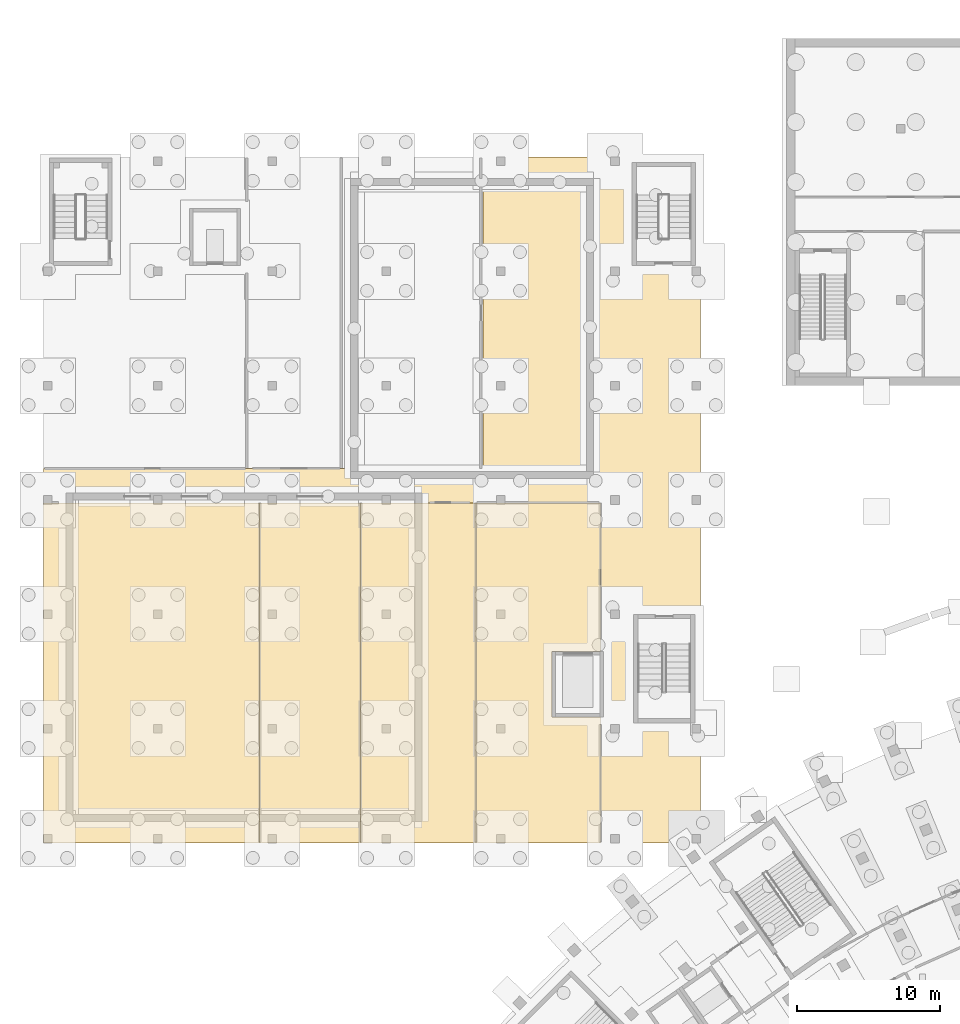
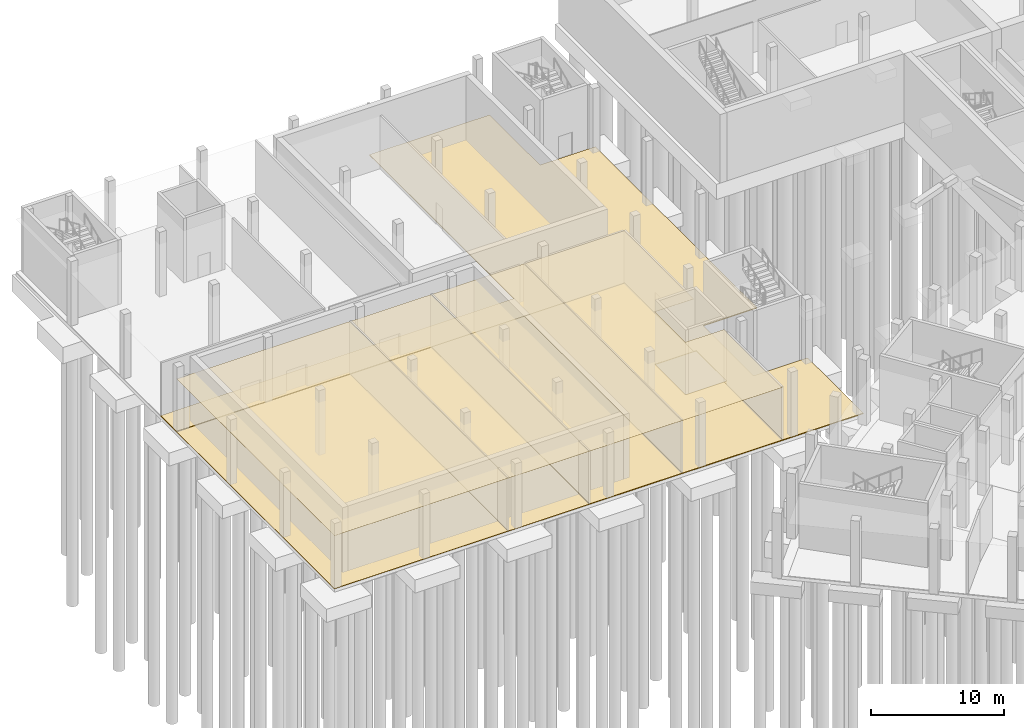
# One storey, part 44 of 66: 9 coverings.
"""IFC4 building model written with IfcOpenShell, lengths in metres."""

import ifcopenshell
import ifcopenshell.guid

model = None  # the IFC model being written
_history = None  # IfcOwnerHistory: only IFC2X3 demands one
_inside = {}  # id of a spatial element -> (the spatial element, [elements in it])
_under = {}  # id of a project, library or spatial element -> (it, [spatial elements below it])
_declared = {}  # id of a project -> (the project, [libraries it declares])
_typed = {}  # id of a type object -> (the type object, [elements of that type])
_made_of = {}  # id of a material, layer set ... -> (it, [elements and type objects made of it])


def new_model(schema):
    """Start an empty IFC model of exactly this schema.

    Asked for "IFC4X3", IfcOpenShell would pick the latest addendum, in which some entities
    have other attributes; the version numbers below select the first issue.
    IFC2X3 requires an IfcOwnerHistory on every rooted entity: one is made here for all.
    """
    global model, _history
    if schema == "IFC4X3":
        model = ifcopenshell.file(schema_version=(4, 3, 0, 0))
    else:
        model = ifcopenshell.file(schema=schema)
    _inside.clear()
    _under.clear()
    _declared.clear()
    _typed.clear()
    _made_of.clear()
    _history = None
    if model.schema == "IFC2X3":
        org = make("IfcOrganization", Name="unknown")
        user = make(
            "IfcPersonAndOrganization",
            ThePerson=make("IfcPerson", FamilyName="unknown"),
            TheOrganization=org,
        )
        app = make(
            "IfcApplication",
            ApplicationDeveloper=org,
            Version="unknown",
            ApplicationFullName="unknown",
            ApplicationIdentifier="unknown",
        )
        _history = make(
            "IfcOwnerHistory",
            OwningUser=user,
            OwningApplication=app,
            ChangeAction="ADDED",
            CreationDate=0,
        )
    return model


def make(cls, **values):
    """One entity of the class cls with the attributes given. An attribute that is None is left unset."""
    return model.create_entity(
        cls, **{name: value for name, value in values.items() if value is not None}
    )


def rooted(cls, **values):
    """An entity with a GlobalId (a new one), such as an element, a storey or a relation."""
    return make(cls, GlobalId=ifcopenshell.guid.new(), OwnerHistory=_history, **values)


def si_unit(unit_type, name, prefix=None):
    """IfcSIUnit, for example si_unit("LENGTHUNIT", "METRE", prefix="MILLI")."""
    return make("IfcSIUnit", UnitType=unit_type, Prefix=prefix, Name=name)


def assignment(units):
    """IfcUnitAssignment: the units of a project."""
    return None if units is None else make("IfcUnitAssignment", Units=units)


def point(xyz):
    """IfcCartesianPoint."""
    return None if xyz is None else make("IfcCartesianPoint", Coordinates=xyz)


def direction(xyz):
    """IfcDirection."""
    return None if xyz is None else make("IfcDirection", DirectionRatios=xyz)


def frame(location, z_axis=None, x_axis=None):
    """IfcAxis2Placement3D, a coordinate frame: its origin and axes. An axis left out is left unset."""
    return make(
        "IfcAxis2Placement3D",
        Location=point(location),
        Axis=direction(z_axis),
        RefDirection=direction(x_axis),
    )


def origin():
    """The frame at (0, 0, 0) with its axes left unset."""
    return frame((0.0, 0.0, 0.0))


def place(relative_to, where):
    """IfcLocalPlacement: puts the frame where relative to a parent placement (None: the world)."""
    return make(
        "IfcLocalPlacement", PlacementRelTo=relative_to, RelativePlacement=where
    )


def context(
    kind, dimensions, precision=None, world=None, true_north=None, identifier=None
):
    """IfcGeometricRepresentationContext, for example the 3D "Model" context."""
    return make(
        "IfcGeometricRepresentationContext",
        ContextIdentifier=identifier,
        ContextType=kind,
        CoordinateSpaceDimension=dimensions,
        Precision=precision,
        WorldCoordinateSystem=world,
        TrueNorth=true_north,
    )


def subcontext(parent, identifier, kind, view, scale=None):
    """IfcGeometricRepresentationSubContext, for example "Body" below "Model"."""
    return make(
        "IfcGeometricRepresentationSubContext",
        ContextIdentifier=identifier,
        ContextType=kind,
        ParentContext=parent,
        TargetScale=scale,
        TargetView=view,
    )


def project(units=None, contexts=None):
    """IfcProject with its units and contexts."""
    return rooted(
        "IfcProject",
        Name="project",
        RepresentationContexts=contexts,
        UnitsInContext=assignment(units),
    )


def spatial(cls, under=None, at=None, **own):
    """A site, building, storey or space (cls), placed at a placement, below another one or the project."""
    s = rooted(cls, ObjectPlacement=at, **own)
    if under is not None:
        _under.setdefault(under.id(), (under, []))[1].append(s)
    return s


def polyline(points):
    """IfcPolyline through the points."""
    return make("IfcPolyline", Points=[point(p) for p in points])


def outline(outer, holes=None, kind="AREA"):
    """IfcArbitraryClosedProfileDef: a profile drawn as a closed curve; with holes, ...WithVoids."""
    if holes is None:
        return make("IfcArbitraryClosedProfileDef", ProfileType=kind, OuterCurve=outer)
    return make(
        "IfcArbitraryProfileDefWithVoids",
        ProfileType=kind,
        OuterCurve=outer,
        InnerCurves=holes,
    )


def extrude(swept, where, along, depth):
    """IfcExtrudedAreaSolid: the profile swept, set in the frame where, extruded along a direction by depth."""
    return make(
        "IfcExtrudedAreaSolid",
        SweptArea=swept,
        Position=where,
        ExtrudedDirection=direction(along),
        Depth=depth,
    )


def shape(context_of_items, identifier, shape_type, items):
    """IfcShapeRepresentation: the items that make up one representation, for example the "Body"."""
    return make(
        "IfcShapeRepresentation",
        ContextOfItems=context_of_items,
        RepresentationIdentifier=identifier,
        RepresentationType=shape_type,
        Items=items,
    )


def material(Name=None, Category=None):
    """IfcMaterial."""
    return make("IfcMaterial", Name=Name, Category=Category)


def layer(
    of_material, thickness, ventilated=None, Name=None, Category=None, Priority=None
):
    """IfcMaterialLayer: one layer of a wall or slab, of a material (None: an air gap)."""
    return make(
        "IfcMaterialLayer",
        Material=of_material,
        LayerThickness=thickness,
        IsVentilated=ventilated,
        Name=Name,
        Category=Category,
        Priority=Priority,
    )


def layer_set(layers, Name=None):
    """IfcMaterialLayerSet."""
    return make("IfcMaterialLayerSet", MaterialLayers=layers, LayerSetName=Name)


def made_of(thing, what):
    """Note that an element or type object is made of a material, layer set ...; save() writes the relation."""
    if what is not None:
        _made_of.setdefault(what.id(), (what, []))[1].append(thing)
    return thing


def type_object(cls, material=None, **own):
    """A type object (cls), such as IfcWallType, which elements share."""
    return made_of(rooted(cls, **own), material)


def element(
    cls,
    number,
    at=None,
    inside=None,
    cuts=None,
    type_object=None,
    material=None,
    context=None,
    identifier="Body",
    shape_type=None,
    held_by="IfcProductDefinitionShape",
    body=None,
    shapes=None,
    **own,
):
    """One element of the class cls, such as IfcWall. Its Tag is "e" and its number.

    at: its placement. inside: the storey or other place that contains it. cuts: it is an
    opening in that element (IfcRelVoidsElement). A single representation is given by context,
    identifier, shape_type and body (its items); several are given by shapes. held_by: the class
    of the entity that holds the representations. save() writes the other relations.
    """
    e = rooted(cls, Tag="e%d" % number, ObjectPlacement=at, **own)
    if body is not None:
        shapes = [shape(context, identifier, shape_type, body)]
    if shapes is not None:
        e.Representation = make(held_by, Representations=shapes)
    if inside is not None:
        _inside.setdefault(inside.id(), (inside, []))[1].append(e)
    if cuts is not None:
        rooted(
            "IfcRelVoidsElement", RelatingBuildingElement=cuts, RelatedOpeningElement=e
        )
    if type_object is not None:
        _typed.setdefault(type_object.id(), (type_object, []))[1].append(e)
    return made_of(e, material)


def aggregate(whole, parts):
    """IfcRelAggregates: a whole, such as a stair, and the parts it consists of."""
    return rooted("IfcRelAggregates", RelatingObject=whole, RelatedObjects=parts)


def save(model, path):
    """Write the relations noted so far, then the file.

    IfcRelAggregates (storeys below a building ...), IfcRelContainedInSpatialStructure (elements
    in a storey), IfcRelDefinesByType, IfcRelAssociatesMaterial and IfcRelDeclares: one each for
    every whole, place, type object, material and project.
    """
    for whole, parts in _under.values():
        aggregate(whole, parts)
    for where, things in _inside.values():
        rooted(
            "IfcRelContainedInSpatialStructure",
            RelatedElements=things,
            RelatingStructure=where,
        )
    for kind, things in _typed.values():
        rooted("IfcRelDefinesByType", RelatedObjects=things, RelatingType=kind)
    for what, things in _made_of.values():
        rooted("IfcRelAssociatesMaterial", RelatedObjects=things, RelatingMaterial=what)
    for by, libraries in _declared.values():
        rooted("IfcRelDeclares", RelatingContext=by, RelatedDefinitions=libraries)
    model.write(path)


model = new_model("IFC4")

# Units and contexts
model_context = context("Model", 3, precision=1e-05, world=origin(), true_north=direction((0.0, 1.0)))
body_context = subcontext(model_context, "Body", "Model", "MODEL_VIEW")
ifc_project = project(units=[si_unit("LENGTHUNIT", "METRE"), si_unit("AREAUNIT", "SQUARE_METRE"), si_unit("VOLUMEUNIT", "CUBIC_METRE"), si_unit("PLANEANGLEUNIT", "RADIAN"), si_unit("MASSUNIT", "GRAM", prefix="KILO")], contexts=[model_context])

# Site, building, storey
site_placement = place(None, origin())
site = spatial("IfcSite", under=ifc_project, at=site_placement, CompositionType="ELEMENT")
building_placement = place(site_placement, origin())
building = spatial("IfcBuilding", under=site, at=building_placement, Name="Lunette Opera House", CompositionType="ELEMENT")
storey_placement = place(building_placement, frame((0.0, 0.0, -6.0)))
storey = spatial("IfcBuildingStorey", under=building, at=storey_placement, Name="B1", CompositionType="ELEMENT", Elevation=-6.0)

# Coverings
ifc_material_1 = material(Name="Cement screed")
ifc_layer_1 = layer(ifc_material_1, 0.070068359375)
ifc_layer_set_1 = layer_set([ifc_layer_1], Name="Cement screed")
covering_type_1 = type_object("IfcCoveringType", Name="SCREED FLOOR FINISH 70", PredefinedType="FLOORING", material=ifc_layer_set_1)
covering_1_placement = place(storey_placement, origin())
element("IfcCovering", 1, at=covering_1_placement, inside=storey, type_object=covering_type_1, Name="Floor finish Rehearsal Wing Plant Room", PredefinedType="FLOORING", context=body_context, shape_type="SweptSolid", body=[
    extrude(outline(polyline([(30.18603515625, 87.800048828125), (38.25390625, 87.800048828125), (38.25390625, 64.0), (30.18603515625, 64.0), (30.18603515625, 87.800048828125)])), origin(), (0.0, 0.0, 1.0), 0.070068359375),
])
covering_2_placement = place(storey_placement, origin())
element("IfcCovering", 2, at=covering_2_placement, inside=storey, type_object=covering_type_1, Name="Floor finish Generator Room", PredefinedType="FLOORING", context=body_context, shape_type="SweptSolid", body=[
    extrude(outline(polyline([(38.25390625, 64.0), (38.25390625, 87.800048828125), (46.97412109375, 87.800048828125), (46.97412109375, 77.39990234375), (43.60009765625, 77.39990234375), (43.60009765625, 72.800048828125), (46.97412109375, 72.800048828125), (46.97412109375, 64.0), (38.25390625, 64.0)])), origin(), (0.0, 0.0, 1.0), 0.070068359375),
])
covering_3_placement = place(storey_placement, origin())
element("IfcCovering", 3, at=covering_3_placement, inside=storey, type_object=covering_type_1, Name="Floor finish Service Corridor B1 Rehearsal", PredefinedType="FLOORING", context=body_context, shape_type="SweptSolid", body=[
    extrude(outline(polyline([(46.97412109375, 87.800048828125), (8.0, 87.800048828125), (8.0, 90.199951171875), (38.74609375, 90.199951171875), (38.74609375, 112.0), (49.198974609375, 112.0), (49.198974609375, 111.633056640625), (49.199951171875, 111.633056640625), (49.199951171875, 104.39990234375), (53.633056640625, 104.39990234375), (53.633056640625, 104.39892578125), (54.0, 104.39892578125), (54.0, 90.199951171875), (54.0, 87.800048828125), (54.0, 80.0009765625), (53.597900390625, 80.0009765625), (53.597900390625, 80.0), (49.300048828125, 80.0), (49.300048828125, 72.39990234375), (53.597900390625, 72.39990234375), (53.597900390625, 72.39892578125), (54.0, 72.39892578125), (54.0, 64.0), (46.97412109375, 64.0), (46.97412109375, 72.800048828125), (47.199951171875, 72.800048828125), (47.199951171875, 77.39990234375), (46.97412109375, 77.39990234375), (46.97412109375, 87.800048828125)])), origin(), (0.0, 0.0, 1.0), 0.070068359375),
])
ifc_material_2 = material(Name="Mineral fibre board")
ifc_layer_2 = layer(ifc_material_2, 0.014892578125)
ifc_layer_set_2 = layer_set([ifc_layer_2], Name="Mineral fibre board")
covering_type_2 = type_object("IfcCoveringType", Name="SUSPENDED ACOUSTIC CEILING 15", PredefinedType="CEILING", material=ifc_layer_set_2)
covering_4_placement = place(storey_placement, frame((0.0, 0.0, 4.885009765625)))
element("IfcCovering", 4, at=covering_4_placement, inside=storey, type_object=covering_type_2, Name="Ceiling Orchestra Practice Rooms", PredefinedType="CEILING", context=body_context, shape_type="SweptSolid", body=[
    extrude(outline(polyline([(8.0, 64.0), (8.0, 87.800048828125), (23.126953125, 87.800048828125), (23.126953125, 64.0), (8.0, 64.0)])), origin(), (0.0, 0.0, 1.0), 0.014892578125),
])
covering_5_placement = place(storey_placement, frame((0.0, 0.0, 4.885009765625)))
element("IfcCovering", 5, at=covering_5_placement, inside=storey, type_object=covering_type_2, Name="Ceiling Chorus Locker Room", PredefinedType="CEILING", context=body_context, shape_type="SweptSolid", body=[
    extrude(outline(polyline([(23.126953125, 64.0), (23.126953125, 87.800048828125), (30.18603515625, 87.800048828125), (30.18603515625, 64.0), (23.126953125, 64.0)])), origin(), (0.0, 0.0, 1.0), 0.014892578125),
])
covering_6_placement = place(storey_placement, frame((0.0, 0.0, 4.885009765625)))
element("IfcCovering", 6, at=covering_6_placement, inside=storey, type_object=covering_type_2, Name="Ceiling Rehearsal Wing Plant Room", PredefinedType="CEILING", context=body_context, shape_type="SweptSolid", body=[
    extrude(outline(polyline([(30.18603515625, 87.800048828125), (38.25390625, 87.800048828125), (38.25390625, 64.0), (30.18603515625, 64.0), (30.18603515625, 87.800048828125)])), origin(), (0.0, 0.0, 1.0), 0.014892578125),
])
covering_7_placement = place(storey_placement, frame((0.0, 0.0, 4.885009765625)))
element("IfcCovering", 7, at=covering_7_placement, inside=storey, type_object=covering_type_2, Name="Ceiling Generator Room", PredefinedType="CEILING", context=body_context, shape_type="SweptSolid", body=[
    extrude(outline(polyline([(38.25390625, 64.0), (38.25390625, 87.800048828125), (46.97412109375, 87.800048828125), (46.97412109375, 77.39990234375), (43.60009765625, 77.39990234375), (43.60009765625, 72.800048828125), (46.97412109375, 72.800048828125), (46.97412109375, 64.0), (38.25390625, 64.0)])), origin(), (0.0, 0.0, 1.0), 0.014892578125),
])
ifc_material_3 = material(Name="Timber", Category="wood")
ifc_layer_3 = layer(ifc_material_3, 0.0400390625)
ifc_layer_set_3 = layer_set([ifc_layer_3], Name="Timber")
covering_type_3 = type_object("IfcCoveringType", Name="TIMBER FLOOR FINISH 40", PredefinedType="FLOORING", material=ifc_layer_set_3)
covering_8_placement = place(storey_placement, origin())
element("IfcCovering", 8, at=covering_8_placement, inside=storey, type_object=covering_type_3, Name="Floor finish Orchestra Practice Rooms", PredefinedType="FLOORING", context=body_context, shape_type="SweptSolid", body=[
    extrude(outline(polyline([(8.0, 64.0), (8.0, 87.800048828125), (23.126953125, 87.800048828125), (23.126953125, 64.0), (8.0, 64.0)])), origin(), (0.0, 0.0, 1.0), 0.0400390625),
])
covering_9_placement = place(storey_placement, origin())
element("IfcCovering", 9, at=covering_9_placement, inside=storey, type_object=covering_type_3, Name="Floor finish Chorus Locker Room", PredefinedType="FLOORING", context=body_context, shape_type="SweptSolid", body=[
    extrude(outline(polyline([(23.126953125, 64.0), (23.126953125, 87.800048828125), (30.18603515625, 87.800048828125), (30.18603515625, 64.0), (23.126953125, 64.0)])), origin(), (0.0, 0.0, 1.0), 0.0400390625),
])

save(model, "model.ifc")
